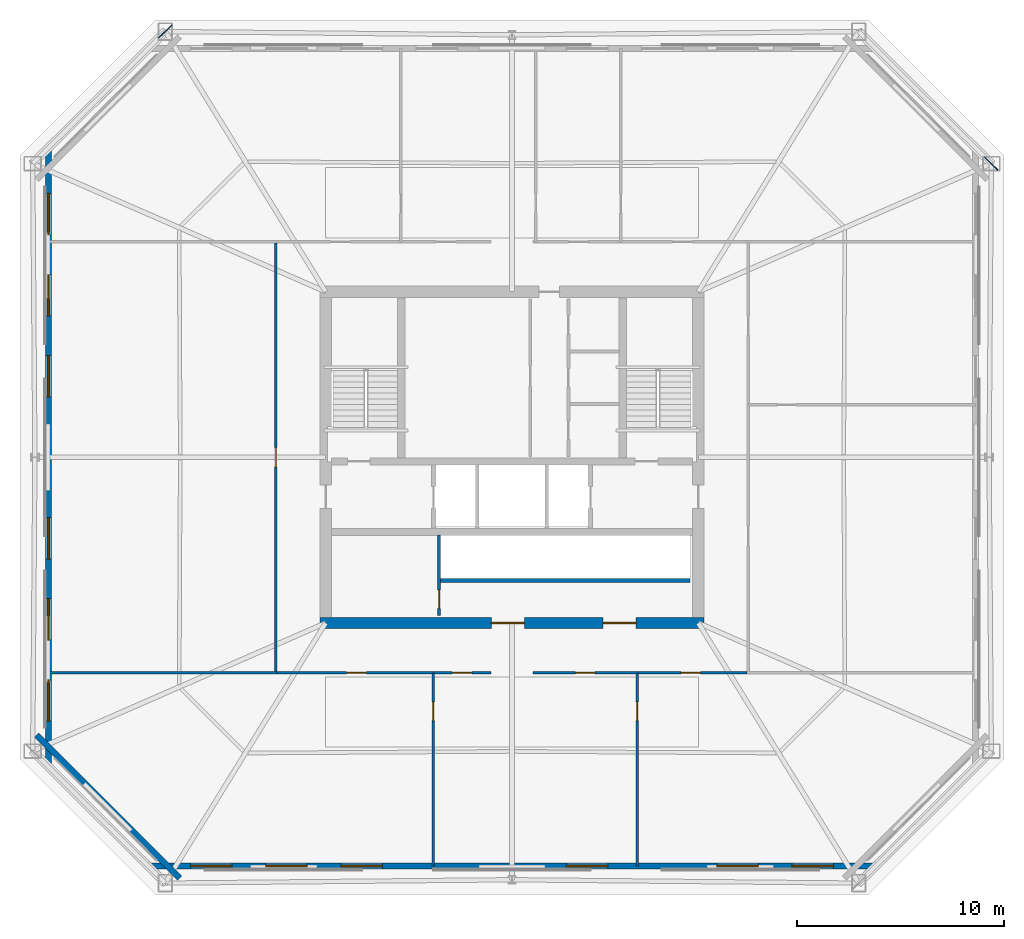
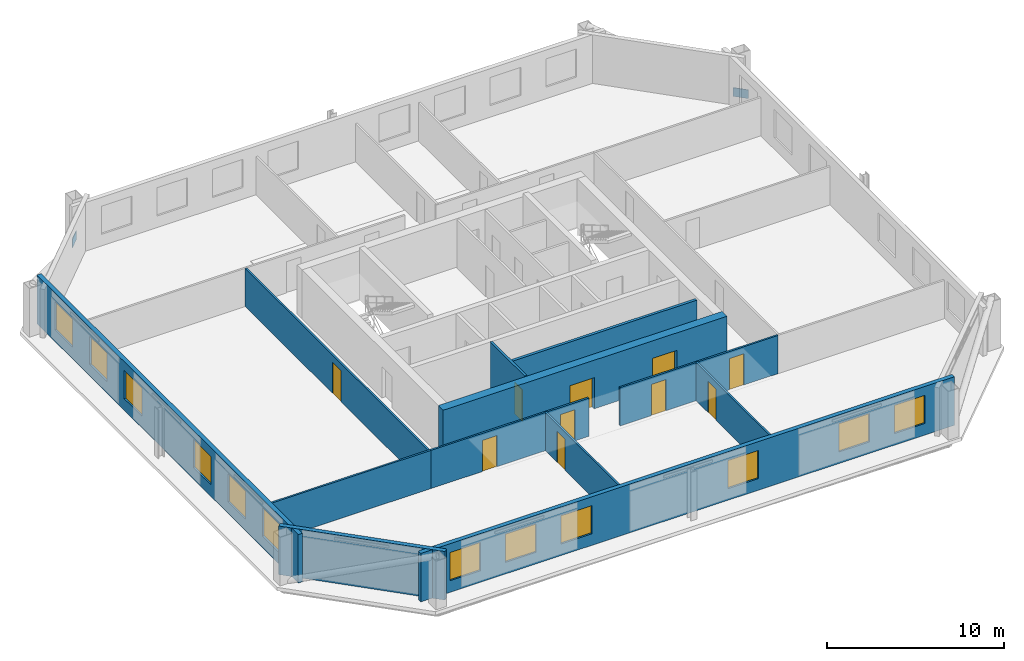
# One storey, part 2 of 7: 12 walls, 12 windows, 10 doors, 2 plates, 22 openings.
"""IFC4 building model written with IfcOpenShell, lengths in metres."""

from ifc_helpers import new_model, si_unit, direction, frame, frame_2d, origin, origin_2d, place, context, subcontext, project, spatial, rectangle, extrude, material, layer, layer_set, type_object, element, fill, save


model = new_model("IFC4")

# Units and contexts
model_context = context("Model", 3, precision=1e-05, world=origin(), true_north=direction((0.0, 1.0)))
body_context = subcontext(model_context, "Body", "Model", "MODEL_VIEW")
ifc_project = project(units=[si_unit("LENGTHUNIT", "METRE"), si_unit("AREAUNIT", "SQUARE_METRE"), si_unit("VOLUMEUNIT", "CUBIC_METRE"), si_unit("PLANEANGLEUNIT", "RADIAN"), si_unit("MASSUNIT", "GRAM", prefix="KILO")], contexts=[model_context])

# Site, building, storey
site_placement = place(None, origin())
site = spatial("IfcSite", under=ifc_project, at=site_placement, CompositionType="ELEMENT")
building_placement = place(site_placement, origin())
building = spatial("IfcBuilding", under=site, at=building_placement, Name="Caelvoria Tower", CompositionType="ELEMENT")
storey_placement = place(building_placement, frame((0.0, 0.0, 177.0)))
storey = spatial("IfcBuildingStorey", under=building, at=storey_placement, Name="L46", CompositionType="ELEMENT", Elevation=177.0)

# Plates
ifc_material_1 = material(Name="Structural Steel ASTM A572 Gr.50", Category="steel")
ifc_layer_1 = layer(ifc_material_1, 0.0400390625, Name="Structural Steel ASTM A572 Gr.50")
ifc_layer_set_1 = layer_set([ifc_layer_1], Name="Megaframe Node Gusset Plate 900x600x40 - Structural Steel ASTM A572 Gr.50")
plate_type = type_object("IfcPlateType", Name="Megaframe Node Gusset Plate 900x600x40", PredefinedType="USERDEFINED", material=ifc_layer_set_1)
for number, where, z_axis, x_axis, name in (
    (1, (69.14599609375, 46.183837890625, 0.02001953125), (0.0, 0.0, 1.0), (-0.708373100352, 0.705838190166, 0.0), "Chamfer Mega Brace Gusset L46 NE"),
    (2, (29.254638671875, 52.561767578125, 0.02001953125), (0.0, 0.0, 1.0), (-0.708373100352, -0.705838190166, 0.0), "Chamfer Mega Brace Gusset L46 NW"),
):
    element("IfcPlate", number, at=place(storey_placement, frame(where, z_axis=z_axis, x_axis=x_axis)), inside=storey, type_object=plate_type, Name=name, ObjectType="GUSSET_PLATE", PredefinedType="USERDEFINED", context=body_context, shape_type="SweptSolid", body=[
        extrude(rectangle(XDim=0.89990234375, YDim=0.0400390625, at=origin_2d()), origin(), (0.0, 0.0, 1.0), 0.60009765625),
    ])

# Wall, opening, door
ifc_material_2 = material(Name="Double Gypsum Board on Steel Stud", Category="steel")
ifc_layer_2 = layer(ifc_material_2, 0.14990234375, Name="Double Gypsum Board on Steel Stud")
ifc_layer_set_2 = layer_set([ifc_layer_2], Name="Core Service Acoustic Partition Wall 150 - Double Gypsum Board on Steel Stud")
wall_type_1 = type_object("IfcWallType", Name="Core Service Acoustic Partition Wall 150", PredefinedType="PARTITIONING", material=ifc_layer_set_2)
wall_1_placement = place(storey_placement, frame((42.47998046875, 24.35009765625, 0.0), z_axis=(0.0, 0.0, 1.0), x_axis=(0.0, 1.0, 0.0)))
wall_1 = element("IfcWall", 3, at=wall_1_placement, inside=storey, type_object=wall_type_1, Name="Interior Partition IW-L46-RECL1E", PredefinedType="PARTITIONING", context=body_context, shape_type="SweptSolid", body=[
    extrude(rectangle(XDim=3.89990234375, YDim=0.14990234375, at=frame_2d((1.949951171875, 0.0))), origin(), (0.0, 0.0, 1.0), 3.360107421875),
])
opening_1_placement = place(wall_1_placement, frame((0.35009765625, 0.0, 0.0)))
opening_1 = element("IfcOpeningElement", 4, at=opening_1_placement, cuts=wall_1, Name="Opening ID-04", PredefinedType="OPENING", context=body_context, shape_type="SweptSolid", body=[
    extrude(rectangle(XDim=0.89990234375, YDim=2.14990234375, at=frame_2d((0.449951171875, 1.074951171875))), frame((0.0, 0.0849609375, 0.0), z_axis=(0.0, -1.0, 0.0), x_axis=(1.0, 0.0, 0.0)), (0.0, 0.0, 1.0), 0.169921875),
])
ifc_material_3 = material(Name="Acoustic Timber Fire Door", Category="wood")
door_type_1 = type_object("IfcDoorType", Name="Fire Door FD30S 900x2150", OperationType="NOTDEFINED", PredefinedType="DOOR", material=ifc_material_3)
door_1_placement = place(opening_1_placement, origin())
door_1 = element("IfcDoor", 5, at=door_1_placement, inside=storey, type_object=door_type_1, Name="Interior Door DR-L46-RECL1", OperationType="SINGLE_SWING_LEFT", OverallHeight=2.14990234375, OverallWidth=0.89990234375, PredefinedType="DOOR", context=body_context, shape_type="SweptSolid", body=[
    extrude(rectangle(XDim=0.89990234375, YDim=2.14990234375, at=frame_2d((0.449951171875, 1.074951171875))), frame((0.0, 0.02490234375, 0.0), z_axis=(0.0, -1.0, 0.0), x_axis=(1.0, 0.0, 0.0)), (0.0, 0.0, 1.0), 0.050048828125),
])
fill(opening_1, door_1)

# Wall, openings, windows
ifc_material_4 = material(Name="Precast Concrete C40/50 with Bronze Cladding", Category="concrete")
ifc_layer_3 = layer(ifc_material_4, 0.280029296875, Name="Precast Concrete C40/50 with Bronze Cladding")
ifc_layer_set_3 = layer_set([ifc_layer_3], Name="Exterior Precast Concrete C40/50 Bronze-Clad Facade Wall 280 - Precast Concrete C40/50 with Bronze Cladding")
wall_type_2 = type_object("IfcWallType", Name="Exterior Precast Concrete C40/50 Bronze-Clad Facade Wall 280", PredefinedType="STANDARD", material=ifc_layer_set_3)
wall_2_placement = place(storey_placement, frame((28.56005859375, 12.260009765625, 0.0), z_axis=(0.0, 0.0, 1.0), x_axis=(1.0, 0.0, 0.0)))
wall_2 = element("IfcWall", 6, at=wall_2_placement, inside=storey, type_object=wall_type_2, Name="Exterior Facade Wall L46-E0", PredefinedType="STANDARD", context=body_context, shape_type="SweptSolid", body=[
    extrude(rectangle(XDim=34.8798828125, YDim=0.280029296875, at=frame_2d((17.43994140625, 0.0))), origin(), (0.0, 0.0, 1.0), 3.360107421875),
])
opening_2_placement = place(wall_2_placement, frame((1.91552734375, 0.0, 0.800048828125)))
opening_2 = element("IfcOpeningElement", 7, at=opening_2_placement, cuts=wall_2, Name="Opening WN-01", PredefinedType="OPENING", context=body_context, shape_type="SweptSolid", body=[
    extrude(rectangle(XDim=2.0, YDim=1.949951171875, at=frame_2d((1.0, 0.97509765625))), frame((0.0, 0.14990234375, 0.0), z_axis=(0.0, -1.0, 0.0), x_axis=(1.0, 0.0, 0.0)), (0.0, 0.0, 1.0), 0.300048828125),
])
opening_3_placement = place(wall_2_placement, frame((5.546630859375, 0.0, 0.800048828125)))
opening_3 = element("IfcOpeningElement", 8, at=opening_3_placement, cuts=wall_2, Name="Opening WN-01", PredefinedType="OPENING", context=body_context, shape_type="SweptSolid", body=[
    extrude(rectangle(XDim=2.0, YDim=1.949951171875, at=frame_2d((1.0, 0.97509765625))), frame((0.0, 0.14990234375, 0.0), z_axis=(0.0, -1.0, 0.0), x_axis=(1.0, 0.0, 0.0)), (0.0, 0.0, 1.0), 0.300048828125),
])
opening_4_placement = place(wall_2_placement, frame((9.177734375, 0.0, 0.800048828125)))
opening_4 = element("IfcOpeningElement", 9, at=opening_4_placement, cuts=wall_2, Name="Opening WN-01", PredefinedType="OPENING", context=body_context, shape_type="SweptSolid", body=[
    extrude(rectangle(XDim=2.0, YDim=1.949951171875, at=frame_2d((1.0, 0.97509765625))), frame((0.0, 0.14990234375, 0.0), z_axis=(0.0, -1.0, 0.0), x_axis=(1.0, 0.0, 0.0)), (0.0, 0.0, 1.0), 0.300048828125),
])
opening_5_placement = place(wall_2_placement, frame((20.071044921875, 0.0, 0.800048828125)))
opening_5 = element("IfcOpeningElement", 10, at=opening_5_placement, cuts=wall_2, Name="Opening WN-01", PredefinedType="OPENING", context=body_context, shape_type="SweptSolid", body=[
    extrude(rectangle(XDim=2.0, YDim=1.949951171875, at=frame_2d((1.0, 0.97509765625))), frame((0.0, 0.14990234375, 0.0), z_axis=(0.0, -1.0, 0.0), x_axis=(1.0, 0.0, 0.0)), (0.0, 0.0, 1.0), 0.300048828125),
])
opening_6_placement = place(wall_2_placement, frame((27.333251953125, 0.0, 0.800048828125)))
opening_6 = element("IfcOpeningElement", 11, at=opening_6_placement, cuts=wall_2, Name="Opening WN-01", PredefinedType="OPENING", context=body_context, shape_type="SweptSolid", body=[
    extrude(rectangle(XDim=2.0, YDim=1.949951171875, at=frame_2d((1.0, 0.97509765625))), frame((0.0, 0.14990234375, 0.0), z_axis=(0.0, -1.0, 0.0), x_axis=(1.0, 0.0, 0.0)), (0.0, 0.0, 1.0), 0.300048828125),
])
opening_7_placement = place(wall_2_placement, frame((30.96435546875, 0.0, 0.800048828125)))
opening_7 = element("IfcOpeningElement", 12, at=opening_7_placement, cuts=wall_2, Name="Opening WN-01", PredefinedType="OPENING", context=body_context, shape_type="SweptSolid", body=[
    extrude(rectangle(XDim=2.0, YDim=1.949951171875, at=frame_2d((1.0, 0.97509765625))), frame((0.0, 0.14990234375, 0.0), z_axis=(0.0, -1.0, 0.0), x_axis=(1.0, 0.0, 0.0)), (0.0, 0.0, 1.0), 0.300048828125),
])
ifc_material_5 = material(Name="Low-E Tinted Glass in Bronze Aluminium Frame", Category="aluminium")
window_type = type_object("IfcWindowType", Name="Tower Office Vision Window 2000x1950", PartitioningType="SINGLE_PANEL", PredefinedType="WINDOW", material=ifc_material_5)
window_1_placement = place(opening_2_placement, origin())
window_1 = element("IfcWindow", 13, at=window_1_placement, inside=storey, type_object=window_type, Name="Facade Window L46-E0-00", OverallHeight=1.949951171875, OverallWidth=2.0, PartitioningType="SINGLE_PANEL", PredefinedType="WINDOW", context=body_context, shape_type="SweptSolid", body=[
    extrude(rectangle(XDim=2.0, YDim=1.949951171875, at=frame_2d((1.0, 0.97509765625))), frame((0.0, 0.030029296875, 0.0), z_axis=(0.0, -1.0, 0.0), x_axis=(1.0, 0.0, 0.0)), (0.0, 0.0, 1.0), 0.06005859375),
])
fill(opening_2, window_1)
window_2_placement = place(opening_3_placement, origin())
window_2 = element("IfcWindow", 14, at=window_2_placement, inside=storey, type_object=window_type, Name="Facade Window L46-E0-01", OverallHeight=1.949951171875, OverallWidth=2.0, PartitioningType="SINGLE_PANEL", PredefinedType="WINDOW", context=body_context, shape_type="SweptSolid", body=[
    extrude(rectangle(XDim=2.0, YDim=1.949951171875, at=frame_2d((1.0, 0.97509765625))), frame((0.0, 0.030029296875, 0.0), z_axis=(0.0, -1.0, 0.0), x_axis=(1.0, 0.0, 0.0)), (0.0, 0.0, 1.0), 0.06005859375),
])
fill(opening_3, window_2)
window_3_placement = place(opening_4_placement, origin())
window_3 = element("IfcWindow", 15, at=window_3_placement, inside=storey, type_object=window_type, Name="Facade Window L46-E0-02", OverallHeight=1.949951171875, OverallWidth=2.0, PartitioningType="SINGLE_PANEL", PredefinedType="WINDOW", context=body_context, shape_type="SweptSolid", body=[
    extrude(rectangle(XDim=2.0, YDim=1.949951171875, at=frame_2d((1.0, 0.97509765625))), frame((0.0, 0.030029296875, 0.0), z_axis=(0.0, -1.0, 0.0), x_axis=(1.0, 0.0, 0.0)), (0.0, 0.0, 1.0), 0.06005859375),
])
fill(opening_4, window_3)
window_4_placement = place(opening_5_placement, origin())
window_4 = element("IfcWindow", 16, at=window_4_placement, inside=storey, type_object=window_type, Name="Facade Window L46-E0-05", OverallHeight=1.949951171875, OverallWidth=2.0, PartitioningType="SINGLE_PANEL", PredefinedType="WINDOW", context=body_context, shape_type="SweptSolid", body=[
    extrude(rectangle(XDim=2.0, YDim=1.949951171875, at=frame_2d((1.0, 0.97509765625))), frame((0.0, 0.030029296875, 0.0), z_axis=(0.0, -1.0, 0.0), x_axis=(1.0, 0.0, 0.0)), (0.0, 0.0, 1.0), 0.06005859375),
])
fill(opening_5, window_4)
window_5_placement = place(opening_6_placement, origin())
window_5 = element("IfcWindow", 17, at=window_5_placement, inside=storey, type_object=window_type, Name="Facade Window L46-E0-07", OverallHeight=1.949951171875, OverallWidth=2.0, PartitioningType="SINGLE_PANEL", PredefinedType="WINDOW", context=body_context, shape_type="SweptSolid", body=[
    extrude(rectangle(XDim=2.0, YDim=1.949951171875, at=frame_2d((1.0, 0.97509765625))), frame((0.0, 0.030029296875, 0.0), z_axis=(0.0, -1.0, 0.0), x_axis=(1.0, 0.0, 0.0)), (0.0, 0.0, 1.0), 0.06005859375),
])
fill(opening_6, window_5)
window_6_placement = place(opening_7_placement, origin())
window_6 = element("IfcWindow", 18, at=window_6_placement, inside=storey, type_object=window_type, Name="Facade Window L46-E0-08", OverallHeight=1.949951171875, OverallWidth=2.0, PartitioningType="SINGLE_PANEL", PredefinedType="WINDOW", context=body_context, shape_type="SweptSolid", body=[
    extrude(rectangle(XDim=2.0, YDim=1.949951171875, at=frame_2d((1.0, 0.97509765625))), frame((0.0, 0.030029296875, 0.0), z_axis=(0.0, -1.0, 0.0), x_axis=(1.0, 0.0, 0.0)), (0.0, 0.0, 1.0), 0.06005859375),
])
fill(opening_7, window_6)

wall_3_placement = place(storey_placement, frame((23.6201171875, 46.800048828125, 0.0), z_axis=(0.0, 0.0, 1.0), x_axis=(0.0, -1.0, 0.0)))
wall_3 = element("IfcWall", 19, at=wall_3_placement, inside=storey, type_object=wall_type_2, Name="Exterior Facade Wall L46-E6", PredefinedType="STANDARD", context=body_context, shape_type="SweptSolid", body=[
    extrude(rectangle(XDim=29.60009765625, YDim=0.280029296875, at=frame_2d((14.800048828125, 0.0))), origin(), (0.0, 0.0, 1.0), 3.360107421875),
])
opening_8_placement = place(wall_3_placement, frame((2.05712890625, 0.0, 0.800048828125)))
opening_8 = element("IfcOpeningElement", 20, at=opening_8_placement, cuts=wall_3, Name="Opening WN-01", PredefinedType="OPENING", context=body_context, shape_type="SweptSolid", body=[
    extrude(rectangle(XDim=2.0, YDim=1.949951171875, at=frame_2d((1.0, 0.97509765625))), frame((0.0, 0.14990234375, 0.0), z_axis=(0.0, -1.0, 0.0), x_axis=(1.0, 0.0, 0.0)), (0.0, 0.0, 1.0), 0.300048828125),
])
opening_9_placement = place(wall_3_placement, frame((5.971435546875, 0.0, 0.800048828125)))
opening_9 = element("IfcOpeningElement", 21, at=opening_9_placement, cuts=wall_3, Name="Opening WN-01", PredefinedType="OPENING", context=body_context, shape_type="SweptSolid", body=[
    extrude(rectangle(XDim=2.0, YDim=1.949951171875, at=frame_2d((1.0, 0.97509765625))), frame((0.0, 0.14990234375, 0.0), z_axis=(0.0, -1.0, 0.0), x_axis=(1.0, 0.0, 0.0)), (0.0, 0.0, 1.0), 0.300048828125),
])
opening_10_placement = place(wall_3_placement, frame((9.8857421875, 0.0, 0.800048828125)))
opening_10 = element("IfcOpeningElement", 22, at=opening_10_placement, cuts=wall_3, Name="Opening WN-01", PredefinedType="OPENING", context=body_context, shape_type="SweptSolid", body=[
    extrude(rectangle(XDim=2.0, YDim=1.949951171875, at=frame_2d((1.0, 0.97509765625))), frame((0.0, 0.14990234375, 0.0), z_axis=(0.0, -1.0, 0.0), x_axis=(1.0, 0.0, 0.0)), (0.0, 0.0, 1.0), 0.300048828125),
])
opening_11_placement = place(wall_3_placement, frame((17.71435546875, 0.0, 0.800048828125)))
opening_11 = element("IfcOpeningElement", 23, at=opening_11_placement, cuts=wall_3, Name="Opening WN-01", PredefinedType="OPENING", context=body_context, shape_type="SweptSolid", body=[
    extrude(rectangle(XDim=2.0, YDim=1.949951171875, at=frame_2d((1.0, 0.97509765625))), frame((0.0, 0.14990234375, 0.0), z_axis=(0.0, -1.0, 0.0), x_axis=(1.0, 0.0, 0.0)), (0.0, 0.0, 1.0), 0.300048828125),
])
opening_12_placement = place(wall_3_placement, frame((21.628662109375, 0.0, 0.800048828125)))
opening_12 = element("IfcOpeningElement", 24, at=opening_12_placement, cuts=wall_3, Name="Opening WN-01", PredefinedType="OPENING", context=body_context, shape_type="SweptSolid", body=[
    extrude(rectangle(XDim=2.0, YDim=1.949951171875, at=frame_2d((1.0, 0.97509765625))), frame((0.0, 0.14990234375, 0.0), z_axis=(0.0, -1.0, 0.0), x_axis=(1.0, 0.0, 0.0)), (0.0, 0.0, 1.0), 0.300048828125),
])
opening_13_placement = place(wall_3_placement, frame((25.54296875, 0.0, 0.800048828125)))
opening_13 = element("IfcOpeningElement", 25, at=opening_13_placement, cuts=wall_3, Name="Opening WN-01", PredefinedType="OPENING", context=body_context, shape_type="SweptSolid", body=[
    extrude(rectangle(XDim=2.0, YDim=1.949951171875, at=frame_2d((1.0, 0.97509765625))), frame((0.0, 0.14990234375, 0.0), z_axis=(0.0, -1.0, 0.0), x_axis=(1.0, 0.0, 0.0)), (0.0, 0.0, 1.0), 0.300048828125),
])
window_7_placement = place(opening_8_placement, origin())
window_7 = element("IfcWindow", 26, at=window_7_placement, inside=storey, type_object=window_type, Name="Facade Window L46-E6-00", OverallHeight=1.949951171875, OverallWidth=2.0, PartitioningType="SINGLE_PANEL", PredefinedType="WINDOW", context=body_context, shape_type="SweptSolid", body=[
    extrude(rectangle(XDim=2.0, YDim=1.949951171875, at=frame_2d((1.0, 0.97509765625))), frame((0.0, 0.030029296875, 0.0), z_axis=(0.0, -1.0, 0.0), x_axis=(1.0, 0.0, 0.0)), (0.0, 0.0, 1.0), 0.06005859375),
])
fill(opening_8, window_7)
window_8_placement = place(opening_9_placement, origin())
window_8 = element("IfcWindow", 27, at=window_8_placement, inside=storey, type_object=window_type, Name="Facade Window L46-E6-01", OverallHeight=1.949951171875, OverallWidth=2.0, PartitioningType="SINGLE_PANEL", PredefinedType="WINDOW", context=body_context, shape_type="SweptSolid", body=[
    extrude(rectangle(XDim=2.0, YDim=1.949951171875, at=frame_2d((1.0, 0.97509765625))), frame((0.0, 0.030029296875, 0.0), z_axis=(0.0, -1.0, 0.0), x_axis=(1.0, 0.0, 0.0)), (0.0, 0.0, 1.0), 0.06005859375),
])
fill(opening_9, window_8)
window_9_placement = place(opening_10_placement, origin())
window_9 = element("IfcWindow", 28, at=window_9_placement, inside=storey, type_object=window_type, Name="Facade Window L46-E6-02", OverallHeight=1.949951171875, OverallWidth=2.0, PartitioningType="SINGLE_PANEL", PredefinedType="WINDOW", context=body_context, shape_type="SweptSolid", body=[
    extrude(rectangle(XDim=2.0, YDim=1.949951171875, at=frame_2d((1.0, 0.97509765625))), frame((0.0, 0.030029296875, 0.0), z_axis=(0.0, -1.0, 0.0), x_axis=(1.0, 0.0, 0.0)), (0.0, 0.0, 1.0), 0.06005859375),
])
fill(opening_10, window_9)
window_10_placement = place(opening_11_placement, origin())
window_10 = element("IfcWindow", 29, at=window_10_placement, inside=storey, type_object=window_type, Name="Facade Window L46-E6-04", OverallHeight=1.949951171875, OverallWidth=2.0, PartitioningType="SINGLE_PANEL", PredefinedType="WINDOW", context=body_context, shape_type="SweptSolid", body=[
    extrude(rectangle(XDim=2.0, YDim=1.949951171875, at=frame_2d((1.0, 0.97509765625))), frame((0.0, 0.030029296875, 0.0), z_axis=(0.0, -1.0, 0.0), x_axis=(1.0, 0.0, 0.0)), (0.0, 0.0, 1.0), 0.06005859375),
])
fill(opening_11, window_10)
window_11_placement = place(opening_12_placement, origin())
window_11 = element("IfcWindow", 30, at=window_11_placement, inside=storey, type_object=window_type, Name="Facade Window L46-E6-05", OverallHeight=1.949951171875, OverallWidth=2.0, PartitioningType="SINGLE_PANEL", PredefinedType="WINDOW", context=body_context, shape_type="SweptSolid", body=[
    extrude(rectangle(XDim=2.0, YDim=1.949951171875, at=frame_2d((1.0, 0.97509765625))), frame((0.0, 0.030029296875, 0.0), z_axis=(0.0, -1.0, 0.0), x_axis=(1.0, 0.0, 0.0)), (0.0, 0.0, 1.0), 0.06005859375),
])
fill(opening_12, window_11)
window_12_placement = place(opening_13_placement, origin())
window_12 = element("IfcWindow", 31, at=window_12_placement, inside=storey, type_object=window_type, Name="Facade Window L46-E6-06", OverallHeight=1.949951171875, OverallWidth=2.0, PartitioningType="SINGLE_PANEL", PredefinedType="WINDOW", context=body_context, shape_type="SweptSolid", body=[
    extrude(rectangle(XDim=2.0, YDim=1.949951171875, at=frame_2d((1.0, 0.97509765625))), frame((0.0, 0.030029296875, 0.0), z_axis=(0.0, -1.0, 0.0), x_axis=(1.0, 0.0, 0.0)), (0.0, 0.0, 1.0), 0.06005859375),
])
fill(opening_13, window_12)

# Walls
wall_4_placement = place(storey_placement, frame((23.046142578125, 18.58544921875, 0.0), z_axis=(0.0, 0.0, 1.0), x_axis=(0.707106781187, -0.707106781187, 0.0)))
element("IfcWall", 32, at=wall_4_placement, inside=storey, type_object=wall_type_2, Name="Exterior Facade Wall L46-E7", PredefinedType="STANDARD", context=body_context, shape_type="SweptSolid", body=[
    extrude(rectangle(XDim=9.75732421875, YDim=0.280029296875, at=frame_2d((4.878662109375, 0.0))), origin(), (0.0, 0.0, 1.0), 3.360107421875),
])
ifc_material_6 = material(Name="Concrete Block and Fireboard Assembly", Category="concrete")
ifc_layer_4 = layer(ifc_material_6, 0.179931640625, Name="Concrete Block and Fireboard Assembly")
ifc_layer_set_4 = layer_set([ifc_layer_4], Name="Fire-Rated Hoistway Partition Wall 180 - Concrete Block and Fireboard Assembly")
wall_type_3 = type_object("IfcWallType", Name="Fire-Rated Hoistway Partition Wall 180", PredefinedType="PARTITIONING", material=ifc_layer_set_4)
wall_5_placement = place(storey_placement, frame((42.550048828125, 26.050048828125, 0.0), z_axis=(0.0, 0.0, 1.0), x_axis=(1.0, 0.0, 0.0)))
element("IfcWall", 33, at=wall_5_placement, inside=storey, type_object=wall_type_3, Name="Interior Partition IW-L46-LFRONT", PredefinedType="PARTITIONING", context=body_context, shape_type="SweptSolid", body=[
    extrude(rectangle(XDim=12.050048828125, YDim=0.179931640625, at=frame_2d((6.02490234375, 0.0))), origin(), (0.0, 0.0, 1.0), 3.360107421875),
])

# Wall, openings, doors
ifc_material_7 = material(Name="Concrete C55/67", Category="concrete")
ifc_layer_5 = layer(ifc_material_7, 0.550048828125, Name="Concrete C55/67")
ifc_layer_set_5 = layer_set([ifc_layer_5], Name="Mid Core Shear Wall 550 - Concrete C55/67")
wall_type_4 = type_object("IfcWallType", Name="Mid Core Shear Wall 550", PredefinedType="SHEAR", material=ifc_layer_set_5)
wall_6_placement = place(storey_placement, frame((36.72509765625, 24.0, 0.0), z_axis=(0.0, 0.0, 1.0), x_axis=(1.0, 0.0, 0.0)))
wall_6 = element("IfcWall", 34, at=wall_6_placement, inside=storey, type_object=wall_type_4, Name="Core Shear Wall L46 S", PredefinedType="SHEAR", context=body_context, shape_type="SweptSolid", body=[
    extrude(rectangle(XDim=18.5498046875, YDim=0.550048828125, at=frame_2d((9.27490234375, 0.0))), origin(), (0.0, 0.0, 1.0), 3.360107421875),
])
opening_14_placement = place(wall_6_placement, frame((8.27490234375, 0.0, 0.0)))
opening_14 = element("IfcOpeningElement", 35, at=opening_14_placement, cuts=wall_6, Name="Opening ID-08", PredefinedType="OPENING", context=body_context, shape_type="SweptSolid", body=[
    extrude(rectangle(XDim=1.60009765625, YDim=2.14990234375, at=frame_2d((0.800048828125, 1.074951171875))), frame((0.0, 0.284912109375, 0.0), z_axis=(0.0, -1.0, 0.0), x_axis=(1.0, 0.0, 0.0)), (0.0, 0.0, 1.0), 0.570068359375),
])
opening_15_placement = place(wall_6_placement, frame((13.675048828125, 0.0, 0.0)))
opening_15 = element("IfcOpeningElement", 36, at=opening_15_placement, cuts=wall_6, Name="Opening ID-08", PredefinedType="OPENING", context=body_context, shape_type="SweptSolid", body=[
    extrude(rectangle(XDim=1.60009765625, YDim=2.14990234375, at=frame_2d((0.800048828125, 1.074951171875))), frame((0.0, 0.284912109375, 0.0), z_axis=(0.0, -1.0, 0.0), x_axis=(1.0, 0.0, 0.0)), (0.0, 0.0, 1.0), 0.570068359375),
])
ifc_material_8 = material(Name="Bronze-Framed Fire-Rated Glazed Double Door", Category="aluminium")
door_type_2 = type_object("IfcDoorType", Name="Double Lobby Glazed Door 1600x2200", OperationType="NOTDEFINED", PredefinedType="DOOR", material=ifc_material_8)
door_2_placement = place(opening_14_placement, origin())
door_2 = element("IfcDoor", 37, at=door_2_placement, inside=storey, type_object=door_type_2, Name="Core Door DR-L46-LLOB-S1", OperationType="DOUBLE_DOOR_SINGLE_SWING", OverallHeight=2.14990234375, OverallWidth=1.60009765625, PredefinedType="DOOR", context=body_context, shape_type="SweptSolid", body=[
    extrude(rectangle(XDim=1.60009765625, YDim=2.14990234375, at=frame_2d((0.800048828125, 1.074951171875))), frame((0.0, 0.02490234375, 0.0), z_axis=(0.0, -1.0, 0.0), x_axis=(1.0, 0.0, 0.0)), (0.0, 0.0, 1.0), 0.050048828125),
])
fill(opening_14, door_2)
door_3_placement = place(opening_15_placement, origin())
door_3 = element("IfcDoor", 38, at=door_3_placement, inside=storey, type_object=door_type_2, Name="Core Door DR-L46-LLOB-S2", OperationType="DOUBLE_DOOR_SINGLE_SWING", OverallHeight=2.14990234375, OverallWidth=1.60009765625, PredefinedType="DOOR", context=body_context, shape_type="SweptSolid", body=[
    extrude(rectangle(XDim=1.60009765625, YDim=2.14990234375, at=frame_2d((0.800048828125, 1.074951171875))), frame((0.0, 0.02490234375, 0.0), z_axis=(0.0, -1.0, 0.0), x_axis=(1.0, 0.0, 0.0)), (0.0, 0.0, 1.0), 0.050048828125),
])
fill(opening_15, door_3)

# Wall, opening, door
ifc_material_9 = material(Name="Acoustic Gypsum Board on Light-Gauge Stud", Category="gypsum")
ifc_layer_6 = layer(ifc_material_9, 0.1201171875, Name="Acoustic Gypsum Board on Light-Gauge Stud")
ifc_layer_set_6 = layer_set([ifc_layer_6], Name="Tenant Suite Acoustic Partition Wall 120 - Acoustic Gypsum Board on Light-Gauge Stud")
wall_type_5 = type_object("IfcWallType", Name="Tenant Suite Acoustic Partition Wall 120", PredefinedType="PARTITIONING", material=ifc_layer_set_6)
wall_7_placement = place(storey_placement, frame((42.190673828125, 21.590087890625, 0.0), z_axis=(0.0, 0.0, 1.0), x_axis=(0.0, -1.0, 0.0)))
wall_7 = element("IfcWall", 39, at=wall_7_placement, inside=storey, type_object=wall_type_5, Name="Interior Partition IW-L46-SD-00-0", PredefinedType="PARTITIONING", context=body_context, shape_type="SweptSolid", body=[
    extrude(rectangle(XDim=9.330078125, YDim=0.1201171875, at=frame_2d((4.6650390625, 0.0))), origin(), (0.0, 0.0, 1.0), 2.639892578125),
])
opening_16_placement = place(wall_7_placement, frame((1.39990234375, 0.0, 0.0)))
opening_16 = element("IfcOpeningElement", 40, at=opening_16_placement, cuts=wall_7, Name="Opening ID-06", PredefinedType="OPENING", context=body_context, shape_type="SweptSolid", body=[
    extrude(rectangle(XDim=0.89990234375, YDim=2.14990234375, at=frame_2d((0.449951171875, 1.074951171875))), frame((0.0, 0.070068359375, 0.0), z_axis=(0.0, -1.0, 0.0), x_axis=(1.0, 0.0, 0.0)), (0.0, 0.0, 1.0), 0.14013671875),
])
ifc_material_10 = material(Name="Engineered Andean Oak Veneer Door", Category="wood")
door_type_3 = type_object("IfcDoorType", Name="Interior Timber Door 900x2150", OperationType="NOTDEFINED", PredefinedType="DOOR", material=ifc_material_10)
door_4_placement = place(opening_16_placement, origin())
door_4 = element("IfcDoor", 41, at=door_4_placement, inside=storey, type_object=door_type_3, Name="Interior Door DR-L46-SM-00-0", OperationType="SINGLE_SWING_RIGHT", OverallHeight=2.14990234375, OverallWidth=0.89990234375, PredefinedType="DOOR", context=body_context, shape_type="SweptSolid", body=[
    extrude(rectangle(XDim=0.89990234375, YDim=2.14990234375, at=frame_2d((0.449951171875, 1.074951171875))), frame((0.0, 0.02490234375, 0.0), z_axis=(0.0, -1.0, 0.0), x_axis=(1.0, 0.0, 0.0)), (0.0, 0.0, 1.0), 0.050048828125),
])
fill(opening_16, door_4)

wall_8_placement = place(storey_placement, frame((52.05810546875, 21.590087890625, 0.0), z_axis=(0.0, 0.0, 1.0), x_axis=(0.0, -1.0, 0.0)))
wall_8 = element("IfcWall", 42, at=wall_8_placement, inside=storey, type_object=wall_type_5, Name="Interior Partition IW-L46-SD-02-0", PredefinedType="PARTITIONING", context=body_context, shape_type="SweptSolid", body=[
    extrude(rectangle(XDim=9.330078125, YDim=0.1201171875, at=frame_2d((4.6650390625, 0.0))), origin(), (0.0, 0.0, 1.0), 2.639892578125),
])
opening_17_placement = place(wall_8_placement, frame((1.39990234375, 0.0, 0.0)))
opening_17 = element("IfcOpeningElement", 43, at=opening_17_placement, cuts=wall_8, Name="Opening ID-06", PredefinedType="OPENING", context=body_context, shape_type="SweptSolid", body=[
    extrude(rectangle(XDim=0.89990234375, YDim=2.14990234375, at=frame_2d((0.449951171875, 1.074951171875))), frame((0.0, 0.070068359375, 0.0), z_axis=(0.0, -1.0, 0.0), x_axis=(1.0, 0.0, 0.0)), (0.0, 0.0, 1.0), 0.14013671875),
])
door_5_placement = place(opening_17_placement, origin())
door_5 = element("IfcDoor", 44, at=door_5_placement, inside=storey, type_object=door_type_3, Name="Interior Door DR-L46-SM-02-0", OperationType="SINGLE_SWING_RIGHT", OverallHeight=2.14990234375, OverallWidth=0.89990234375, PredefinedType="DOOR", context=body_context, shape_type="SweptSolid", body=[
    extrude(rectangle(XDim=0.89990234375, YDim=2.14990234375, at=frame_2d((0.449951171875, 1.074951171875))), frame((0.0, 0.02490234375, 0.0), z_axis=(0.0, -1.0, 0.0), x_axis=(1.0, 0.0, 0.0)), (0.0, 0.0, 1.0), 0.050048828125),
])
fill(opening_17, door_5)

# Wall, openings, doors
wall_9_placement = place(storey_placement, frame((34.64990234375, 21.590087890625, 0.0), z_axis=(0.0, 0.0, 1.0), x_axis=(1.0, 0.0, 0.0)))
wall_9 = element("IfcWall", 45, at=wall_9_placement, inside=storey, type_object=wall_type_5, Name="Interior Partition IW-L46-SCW-0", PredefinedType="PARTITIONING", context=body_context, shape_type="SweptSolid", body=[
    extrude(rectangle(XDim=10.330078125, YDim=0.1201171875, at=frame_2d((5.1650390625, 0.0))), origin(), (0.0, 0.0, 1.0), 2.639892578125),
])
opening_18_placement = place(wall_9_placement, frame((3.365234375, 0.0, 0.0)))
opening_18 = element("IfcOpeningElement", 46, at=opening_18_placement, cuts=wall_9, Name="Opening ID-05", PredefinedType="OPENING", context=body_context, shape_type="SweptSolid", body=[
    extrude(rectangle(XDim=0.949951171875, YDim=2.14990234375, at=frame_2d((0.47509765625, 1.074951171875))), frame((0.0, 0.070068359375, 0.0), z_axis=(0.0, -1.0, 0.0), x_axis=(1.0, 0.0, 0.0)), (0.0, 0.0, 1.0), 0.14013671875),
])
opening_19_placement = place(wall_9_placement, frame((8.46044921875, 0.0, 0.0)))
opening_19 = element("IfcOpeningElement", 47, at=opening_19_placement, cuts=wall_9, Name="Opening ID-05", PredefinedType="OPENING", context=body_context, shape_type="SweptSolid", body=[
    extrude(rectangle(XDim=0.949951171875, YDim=2.14990234375, at=frame_2d((0.47509765625, 1.074951171875))), frame((0.0, 0.070068359375, 0.0), z_axis=(0.0, -1.0, 0.0), x_axis=(1.0, 0.0, 0.0)), (0.0, 0.0, 1.0), 0.14013671875),
])
door_type_4 = type_object("IfcDoorType", Name="Interior Timber Door 950x2150", OperationType="NOTDEFINED", PredefinedType="DOOR", material=ifc_material_10)
door_6_placement = place(opening_18_placement, origin())
door_6 = element("IfcDoor", 48, at=door_6_placement, inside=storey, type_object=door_type_4, Name="Interior Door DR-L46-SC-00-0", OperationType="SINGLE_SWING_LEFT", OverallHeight=2.14990234375, OverallWidth=0.949951171875, PredefinedType="DOOR", context=body_context, shape_type="SweptSolid", body=[
    extrude(rectangle(XDim=0.949951171875, YDim=2.14990234375, at=frame_2d((0.47509765625, 1.074951171875))), frame((0.0, 0.02490234375, 0.0), z_axis=(0.0, -1.0, 0.0), x_axis=(1.0, 0.0, 0.0)), (0.0, 0.0, 1.0), 0.050048828125),
])
fill(opening_18, door_6)
door_7_placement = place(opening_19_placement, origin())
door_7 = element("IfcDoor", 49, at=door_7_placement, inside=storey, type_object=door_type_4, Name="Interior Door DR-L46-SC-01-0", OperationType="SINGLE_SWING_RIGHT", OverallHeight=2.14990234375, OverallWidth=0.949951171875, PredefinedType="DOOR", context=body_context, shape_type="SweptSolid", body=[
    extrude(rectangle(XDim=0.949951171875, YDim=2.14990234375, at=frame_2d((0.47509765625, 1.074951171875))), frame((0.0, 0.02490234375, 0.0), z_axis=(0.0, -1.0, 0.0), x_axis=(1.0, 0.0, 0.0)), (0.0, 0.0, 1.0), 0.050048828125),
])
fill(opening_19, door_7)

wall_10_placement = place(storey_placement, frame((47.02001953125, 21.590087890625, 0.0), z_axis=(0.0, 0.0, 1.0), x_axis=(1.0, 0.0, 0.0)))
wall_10 = element("IfcWall", 50, at=wall_10_placement, inside=storey, type_object=wall_type_5, Name="Interior Partition IW-L46-SCW-1", PredefinedType="PARTITIONING", context=body_context, shape_type="SweptSolid", body=[
    extrude(rectangle(XDim=10.330078125, YDim=0.1201171875, at=frame_2d((5.1650390625, 0.0))), origin(), (0.0, 0.0, 1.0), 2.639892578125),
])
opening_20_placement = place(wall_10_placement, frame((2.0439453125, 0.0, 0.0)))
opening_20 = element("IfcOpeningElement", 51, at=opening_20_placement, cuts=wall_10, Name="Opening ID-05", PredefinedType="OPENING", context=body_context, shape_type="SweptSolid", body=[
    extrude(rectangle(XDim=0.949951171875, YDim=2.14990234375, at=frame_2d((0.47509765625, 1.074951171875))), frame((0.0, 0.070068359375, 0.0), z_axis=(0.0, -1.0, 0.0), x_axis=(1.0, 0.0, 0.0)), (0.0, 0.0, 1.0), 0.14013671875),
])
opening_21_placement = place(wall_10_placement, frame((7.138916015625, 0.0, 0.0)))
opening_21 = element("IfcOpeningElement", 52, at=opening_21_placement, cuts=wall_10, Name="Opening ID-05", PredefinedType="OPENING", context=body_context, shape_type="SweptSolid", body=[
    extrude(rectangle(XDim=0.949951171875, YDim=2.14990234375, at=frame_2d((0.47509765625, 1.074951171875))), frame((0.0, 0.070068359375, 0.0), z_axis=(0.0, -1.0, 0.0), x_axis=(1.0, 0.0, 0.0)), (0.0, 0.0, 1.0), 0.14013671875),
])
door_8_placement = place(opening_20_placement, origin())
door_8 = element("IfcDoor", 53, at=door_8_placement, inside=storey, type_object=door_type_4, Name="Interior Door DR-L46-SC-02-0", OperationType="SINGLE_SWING_LEFT", OverallHeight=2.14990234375, OverallWidth=0.949951171875, PredefinedType="DOOR", context=body_context, shape_type="SweptSolid", body=[
    extrude(rectangle(XDim=0.949951171875, YDim=2.14990234375, at=frame_2d((0.47509765625, 1.074951171875))), frame((0.0, 0.02490234375, 0.0), z_axis=(0.0, -1.0, 0.0), x_axis=(1.0, 0.0, 0.0)), (0.0, 0.0, 1.0), 0.050048828125),
])
fill(opening_20, door_8)
door_9_placement = place(opening_21_placement, origin())
door_9 = element("IfcDoor", 54, at=door_9_placement, inside=storey, type_object=door_type_4, Name="Interior Door DR-L46-SC-03-0", OperationType="SINGLE_SWING_RIGHT", OverallHeight=2.14990234375, OverallWidth=0.949951171875, PredefinedType="DOOR", context=body_context, shape_type="SweptSolid", body=[
    extrude(rectangle(XDim=0.949951171875, YDim=2.14990234375, at=frame_2d((0.47509765625, 1.074951171875))), frame((0.0, 0.02490234375, 0.0), z_axis=(0.0, -1.0, 0.0), x_axis=(1.0, 0.0, 0.0)), (0.0, 0.0, 1.0), 0.050048828125),
])
fill(opening_21, door_9)

# Wall, opening, door
wall_11_placement = place(storey_placement, frame((34.590087890625, 21.64990234375, 0.0), z_axis=(0.0, 0.0, 1.0), x_axis=(0.0, 1.0, 0.0)))
wall_11 = element("IfcWall", 55, at=wall_11_placement, inside=storey, type_object=wall_type_5, Name="Interior Partition IW-L46-WCW-0", PredefinedType="PARTITIONING", context=body_context, shape_type="SweptSolid", body=[
    extrude(rectangle(XDim=20.7001953125, YDim=0.1201171875, at=frame_2d((10.35009765625, 0.0))), origin(), (0.0, 0.0, 1.0), 2.639892578125),
])
opening_22_placement = place(wall_11_placement, frame((9.875, 0.0, 0.0)))
opening_22 = element("IfcOpeningElement", 56, at=opening_22_placement, cuts=wall_11, Name="Opening ID-05", PredefinedType="OPENING", context=body_context, shape_type="SweptSolid", body=[
    extrude(rectangle(XDim=0.949951171875, YDim=2.14990234375, at=frame_2d((0.47509765625, 1.074951171875))), frame((0.0, 0.070068359375, 0.0), z_axis=(0.0, -1.0, 0.0), x_axis=(1.0, 0.0, 0.0)), (0.0, 0.0, 1.0), 0.14013671875),
])
door_10_placement = place(opening_22_placement, origin())
door_10 = element("IfcDoor", 57, at=door_10_placement, inside=storey, type_object=door_type_4, Name="Interior Door DR-L46-WC-00-0", OperationType="SINGLE_SWING_LEFT", OverallHeight=2.14990234375, OverallWidth=0.949951171875, PredefinedType="DOOR", context=body_context, shape_type="SweptSolid", body=[
    extrude(rectangle(XDim=0.949951171875, YDim=2.14990234375, at=frame_2d((0.47509765625, 1.074951171875))), frame((0.0, 0.02490234375, 0.0), z_axis=(0.0, -1.0, 0.0), x_axis=(1.0, 0.0, 0.0)), (0.0, 0.0, 1.0), 0.050048828125),
])
fill(opening_22, door_10)

# Wall
wall_12_placement = place(storey_placement, frame((34.64990234375, 21.590087890625, 0.0), z_axis=(0.0, 0.0, 1.0), x_axis=(-1.0, 0.0, 0.0)))
element("IfcWall", 58, at=wall_12_placement, inside=storey, type_object=wall_type_5, Name="Interior Partition IW-L46-BSW-0", PredefinedType="PARTITIONING", context=body_context, shape_type="SweptSolid", body=[
    extrude(rectangle(XDim=11.02978515625, YDim=0.1201171875, at=frame_2d((5.514892578125, 0.0))), origin(), (0.0, 0.0, 1.0), 2.639892578125),
])

save(model, "model.ifc")
